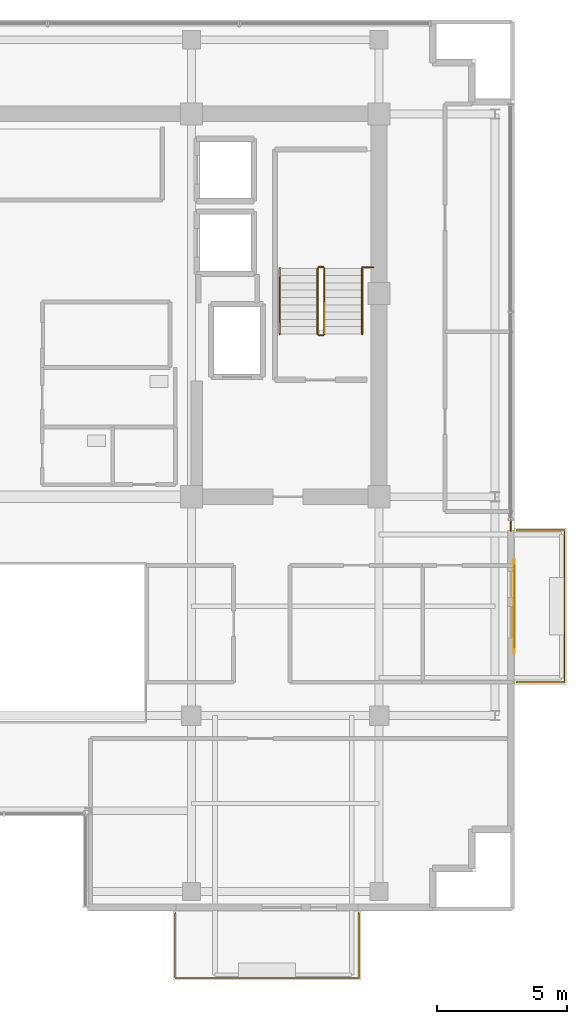
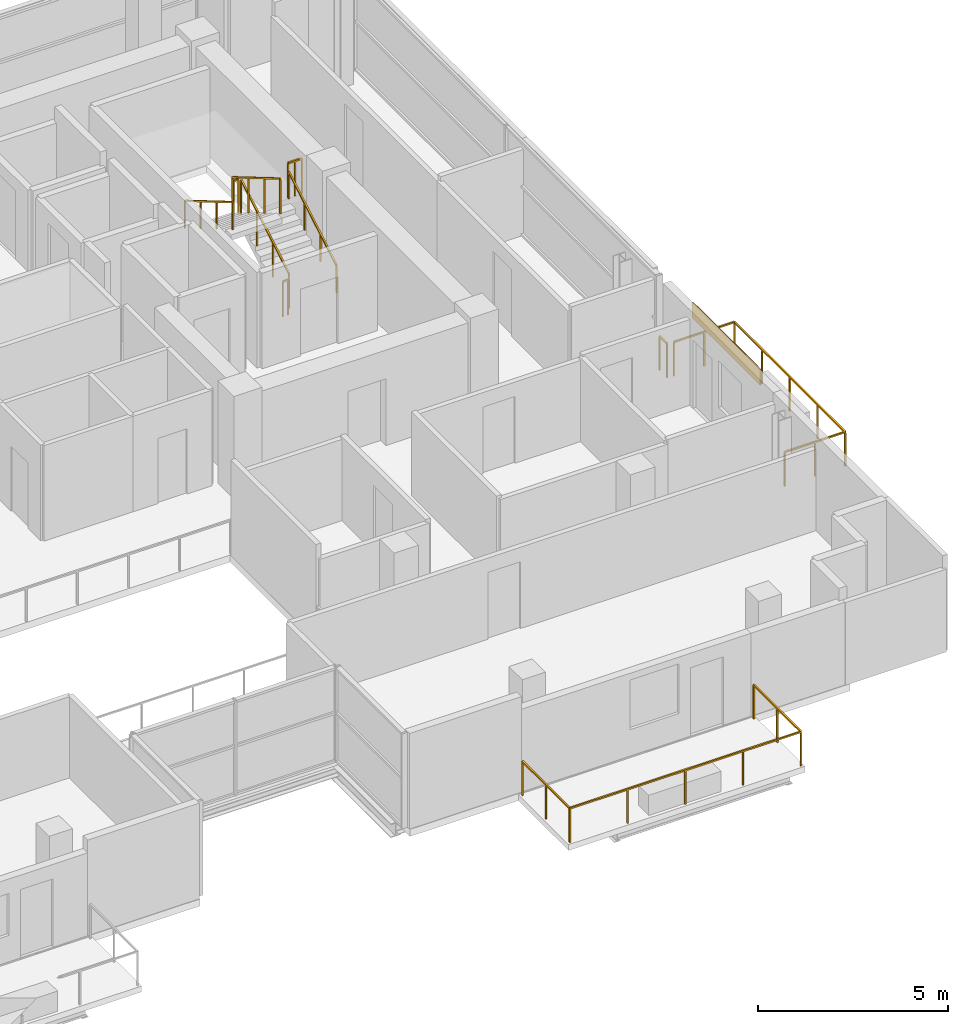
# One storey, part 22 of 23: 10 railings, 1 covering, 1 shading device.
"""IFC4 building model written with IfcOpenShell, lengths in metres."""

import ifcopenshell
import ifcopenshell.guid

model = None  # the IFC model being written
_history = None  # IfcOwnerHistory: only IFC2X3 demands one
_inside = {}  # id of a spatial element -> (the spatial element, [elements in it])
_under = {}  # id of a project, library or spatial element -> (it, [spatial elements below it])
_declared = {}  # id of a project -> (the project, [libraries it declares])
_typed = {}  # id of a type object -> (the type object, [elements of that type])
_made_of = {}  # id of a material, layer set ... -> (it, [elements and type objects made of it])


def new_model(schema):
    """Start an empty IFC model of exactly this schema.

    Asked for "IFC4X3", IfcOpenShell would pick the latest addendum, in which some entities
    have other attributes; the version numbers below select the first issue.
    IFC2X3 requires an IfcOwnerHistory on every rooted entity: one is made here for all.
    """
    global model, _history
    if schema == "IFC4X3":
        model = ifcopenshell.file(schema_version=(4, 3, 0, 0))
    else:
        model = ifcopenshell.file(schema=schema)
    _inside.clear()
    _under.clear()
    _declared.clear()
    _typed.clear()
    _made_of.clear()
    _history = None
    if model.schema == "IFC2X3":
        org = make("IfcOrganization", Name="unknown")
        user = make(
            "IfcPersonAndOrganization",
            ThePerson=make("IfcPerson", FamilyName="unknown"),
            TheOrganization=org,
        )
        app = make(
            "IfcApplication",
            ApplicationDeveloper=org,
            Version="unknown",
            ApplicationFullName="unknown",
            ApplicationIdentifier="unknown",
        )
        _history = make(
            "IfcOwnerHistory",
            OwningUser=user,
            OwningApplication=app,
            ChangeAction="ADDED",
            CreationDate=0,
        )
    return model


def make(cls, **values):
    """One entity of the class cls with the attributes given. An attribute that is None is left unset."""
    return model.create_entity(
        cls, **{name: value for name, value in values.items() if value is not None}
    )


def rooted(cls, **values):
    """An entity with a GlobalId (a new one), such as an element, a storey or a relation."""
    return make(cls, GlobalId=ifcopenshell.guid.new(), OwnerHistory=_history, **values)


def si_unit(unit_type, name, prefix=None):
    """IfcSIUnit, for example si_unit("LENGTHUNIT", "METRE", prefix="MILLI")."""
    return make("IfcSIUnit", UnitType=unit_type, Prefix=prefix, Name=name)


def assignment(units):
    """IfcUnitAssignment: the units of a project."""
    return None if units is None else make("IfcUnitAssignment", Units=units)


def point(xyz):
    """IfcCartesianPoint."""
    return None if xyz is None else make("IfcCartesianPoint", Coordinates=xyz)


def direction(xyz):
    """IfcDirection."""
    return None if xyz is None else make("IfcDirection", DirectionRatios=xyz)


def frame(location, z_axis=None, x_axis=None):
    """IfcAxis2Placement3D, a coordinate frame: its origin and axes. An axis left out is left unset."""
    return make(
        "IfcAxis2Placement3D",
        Location=point(location),
        Axis=direction(z_axis),
        RefDirection=direction(x_axis),
    )


def frame_2d(location, x_axis=None):
    """IfcAxis2Placement2D, a coordinate frame in the plane: its origin and x axis."""
    return make(
        "IfcAxis2Placement2D", Location=point(location), RefDirection=direction(x_axis)
    )


def origin():
    """The frame at (0, 0, 0) with its axes left unset."""
    return frame((0.0, 0.0, 0.0))


def origin_2d():
    """The frame at (0, 0) in the plane with its x axis left unset."""
    return frame_2d((0.0, 0.0))


def place(relative_to, where):
    """IfcLocalPlacement: puts the frame where relative to a parent placement (None: the world)."""
    return make(
        "IfcLocalPlacement", PlacementRelTo=relative_to, RelativePlacement=where
    )


def context(
    kind, dimensions, precision=None, world=None, true_north=None, identifier=None
):
    """IfcGeometricRepresentationContext, for example the 3D "Model" context."""
    return make(
        "IfcGeometricRepresentationContext",
        ContextIdentifier=identifier,
        ContextType=kind,
        CoordinateSpaceDimension=dimensions,
        Precision=precision,
        WorldCoordinateSystem=world,
        TrueNorth=true_north,
    )


def subcontext(parent, identifier, kind, view, scale=None):
    """IfcGeometricRepresentationSubContext, for example "Body" below "Model"."""
    return make(
        "IfcGeometricRepresentationSubContext",
        ContextIdentifier=identifier,
        ContextType=kind,
        ParentContext=parent,
        TargetScale=scale,
        TargetView=view,
    )


def project(units=None, contexts=None):
    """IfcProject with its units and contexts."""
    return rooted(
        "IfcProject",
        Name="project",
        RepresentationContexts=contexts,
        UnitsInContext=assignment(units),
    )


def spatial(cls, under=None, at=None, **own):
    """A site, building, storey or space (cls), placed at a placement, below another one or the project."""
    s = rooted(cls, ObjectPlacement=at, **own)
    if under is not None:
        _under.setdefault(under.id(), (under, []))[1].append(s)
    return s


def profile(cls, at=None, kind="AREA", **sizes):
    """A parametric profile (cls). Its sizes go by their IFC names, for example OverallWidth=200.0."""
    return make(cls, ProfileType=kind, Position=at, **sizes)


def rectangle(**sizes):
    """IfcRectangleProfileDef."""
    return profile("IfcRectangleProfileDef", **sizes)


def extrude(swept, where, along, depth):
    """IfcExtrudedAreaSolid: the profile swept, set in the frame where, extruded along a direction by depth."""
    return make(
        "IfcExtrudedAreaSolid",
        SweptArea=swept,
        Position=where,
        ExtrudedDirection=direction(along),
        Depth=depth,
    )


def shape(context_of_items, identifier, shape_type, items):
    """IfcShapeRepresentation: the items that make up one representation, for example the "Body"."""
    return make(
        "IfcShapeRepresentation",
        ContextOfItems=context_of_items,
        RepresentationIdentifier=identifier,
        RepresentationType=shape_type,
        Items=items,
    )


def source(mapping_origin, context_of_items, identifier, shape_type, items):
    """IfcRepresentationMap: a shape defined once, which mapped items show again and again."""
    return make(
        "IfcRepresentationMap",
        MappingOrigin=mapping_origin,
        MappedRepresentation=shape(context_of_items, identifier, shape_type, items),
    )


def transform(
    local_origin,
    x_axis=None,
    y_axis=None,
    z_axis=None,
    scale=None,
    scale2=None,
    scale3=None,
    uniform=True,
):
    """IfcCartesianTransformationOperator3D, or its non-uniform kind. x_axis, y_axis, z_axis: its Axis1, 2, 3."""
    if uniform:
        return make(
            "IfcCartesianTransformationOperator3D",
            Axis1=direction(x_axis),
            Axis2=direction(y_axis),
            LocalOrigin=point(local_origin),
            Scale=scale,
            Axis3=direction(z_axis),
        )
    return make(
        "IfcCartesianTransformationOperator3DnonUniform",
        Axis1=direction(x_axis),
        Axis2=direction(y_axis),
        LocalOrigin=point(local_origin),
        Scale=scale,
        Axis3=direction(z_axis),
        Scale2=scale2,
        Scale3=scale3,
    )


def mapped(mapping_source, mapping_target):
    """IfcMappedItem: shows the shape of a source again, moved by a transform."""
    return make(
        "IfcMappedItem", MappingSource=mapping_source, MappingTarget=mapping_target
    )


def material(Name=None, Category=None):
    """IfcMaterial."""
    return make("IfcMaterial", Name=Name, Category=Category)


def layer(
    of_material, thickness, ventilated=None, Name=None, Category=None, Priority=None
):
    """IfcMaterialLayer: one layer of a wall or slab, of a material (None: an air gap)."""
    return make(
        "IfcMaterialLayer",
        Material=of_material,
        LayerThickness=thickness,
        IsVentilated=ventilated,
        Name=Name,
        Category=Category,
        Priority=Priority,
    )


def layer_set(layers, Name=None):
    """IfcMaterialLayerSet."""
    return make("IfcMaterialLayerSet", MaterialLayers=layers, LayerSetName=Name)


def made_of(thing, what):
    """Note that an element or type object is made of a material, layer set ...; save() writes the relation."""
    if what is not None:
        _made_of.setdefault(what.id(), (what, []))[1].append(thing)
    return thing


def type_object(cls, material=None, **own):
    """A type object (cls), such as IfcWallType, which elements share."""
    return made_of(rooted(cls, **own), material)


def element(
    cls,
    number,
    at=None,
    inside=None,
    cuts=None,
    type_object=None,
    material=None,
    context=None,
    identifier="Body",
    shape_type=None,
    held_by="IfcProductDefinitionShape",
    body=None,
    shapes=None,
    **own,
):
    """One element of the class cls, such as IfcWall. Its Tag is "e" and its number.

    at: its placement. inside: the storey or other place that contains it. cuts: it is an
    opening in that element (IfcRelVoidsElement). A single representation is given by context,
    identifier, shape_type and body (its items); several are given by shapes. held_by: the class
    of the entity that holds the representations. save() writes the other relations.
    """
    e = rooted(cls, Tag="e%d" % number, ObjectPlacement=at, **own)
    if body is not None:
        shapes = [shape(context, identifier, shape_type, body)]
    if shapes is not None:
        e.Representation = make(held_by, Representations=shapes)
    if inside is not None:
        _inside.setdefault(inside.id(), (inside, []))[1].append(e)
    if cuts is not None:
        rooted(
            "IfcRelVoidsElement", RelatingBuildingElement=cuts, RelatedOpeningElement=e
        )
    if type_object is not None:
        _typed.setdefault(type_object.id(), (type_object, []))[1].append(e)
    return made_of(e, material)


def aggregate(whole, parts):
    """IfcRelAggregates: a whole, such as a stair, and the parts it consists of."""
    return rooted("IfcRelAggregates", RelatingObject=whole, RelatedObjects=parts)


def save(model, path):
    """Write the relations noted so far, then the file.

    IfcRelAggregates (storeys below a building ...), IfcRelContainedInSpatialStructure (elements
    in a storey), IfcRelDefinesByType, IfcRelAssociatesMaterial and IfcRelDeclares: one each for
    every whole, place, type object, material and project.
    """
    for whole, parts in _under.values():
        aggregate(whole, parts)
    for where, things in _inside.values():
        rooted(
            "IfcRelContainedInSpatialStructure",
            RelatedElements=things,
            RelatingStructure=where,
        )
    for kind, things in _typed.values():
        rooted("IfcRelDefinesByType", RelatedObjects=things, RelatingType=kind)
    for what, things in _made_of.values():
        rooted("IfcRelAssociatesMaterial", RelatedObjects=things, RelatingMaterial=what)
    for by, libraries in _declared.values():
        rooted("IfcRelDeclares", RelatingContext=by, RelatedDefinitions=libraries)
    model.write(path)


model = new_model("IFC4")

# Units and contexts
model_context = context("Model", 3, precision=1e-05, world=origin(), true_north=direction((0.0, 1.0)))
body_context = subcontext(model_context, "Body", "Model", "MODEL_VIEW")
ifc_project = project(units=[si_unit("LENGTHUNIT", "METRE"), si_unit("AREAUNIT", "SQUARE_METRE"), si_unit("VOLUMEUNIT", "CUBIC_METRE"), si_unit("PLANEANGLEUNIT", "RADIAN"), si_unit("MASSUNIT", "GRAM", prefix="KILO")], contexts=[model_context])

# Site, building, storey
site_placement = place(None, origin())
site = spatial("IfcSite", under=ifc_project, at=site_placement, CompositionType="ELEMENT")
building_placement = place(site_placement, origin())
building = spatial("IfcBuilding", under=site, at=building_placement, Name="Zarnakvel Exchange Tower", CompositionType="ELEMENT")
storey_placement = place(building_placement, frame((0.0, 0.0, 218.800048828125)))
storey = spatial("IfcBuildingStorey", under=building, at=storey_placement, Name="L61", CompositionType="ELEMENT", Elevation=218.800048828125)

# Railings
ifc_material_1 = material(Name="Architectural Bronze Anodised Aluminium", Category="aluminium")
railing_type_1 = type_object("IfcRailingType", Name="GR-02", PredefinedType="GUARDRAIL", material=ifc_material_1)
railing_1_placement = place(storey_placement, frame((6.580078125, -17.179931640625, -0.03515625)))
element("IfcRailing", 1, at=railing_1_placement, inside=storey, type_object=railing_type_1, Name="L61 Balcony Guardrail BAL-L61-SE", PredefinedType="GUARDRAIL", context=body_context, shape_type="SweptSolid", body=[
    extrude(rectangle(XDim=0.048095703125, YDim=0.048095703125, at=origin_2d()), frame((0.0, 0.0, 1.09619140625), z_axis=(0.0, -1.0, 0.0), x_axis=(1.0, 0.0, 0.0)), (0.0, 0.0, 1.0), 2.489990234375),
    extrude(rectangle(XDim=0.048095703125, YDim=0.048095703125, at=origin_2d()), frame((0.0, -2.489990234375, 1.09619140625), z_axis=(1.0, 0.0, 0.0), x_axis=(0.0, 1.0, 0.0)), (0.0, 0.0, 1.0), 7.0400390625),
    extrude(rectangle(XDim=0.048095703125, YDim=0.048095703125, at=origin_2d()), frame((7.0400390625, -2.489990234375, 1.09619140625), z_axis=(0.0, 1.0, 0.0), x_axis=(-1.0, 0.0, 0.0)), (0.0, 0.0, 1.0), 2.489990234375),
    extrude(rectangle(XDim=0.0419921875, YDim=0.0419921875, at=origin_2d()), origin(), (0.0, 0.0, 1.0), 1.072021484375),
    extrude(rectangle(XDim=0.0419921875, YDim=0.0419921875, at=origin_2d()), frame((0.0, -1.2451171875, 0.0)), (0.0, 0.0, 1.0), 1.072021484375),
    extrude(rectangle(XDim=0.0419921875, YDim=0.0419921875, at=origin_2d()), frame((0.0, -2.489990234375, 0.0)), (0.0, 0.0, 1.0), 1.072021484375),
    extrude(rectangle(XDim=0.0419921875, YDim=0.0419921875, at=origin_2d()), frame((1.760009765625, -2.489990234375, 0.0)), (0.0, 0.0, 1.0), 1.072021484375),
    extrude(rectangle(XDim=0.0419921875, YDim=0.0419921875, at=origin_2d()), frame((3.52001953125, -2.489990234375, 0.0)), (0.0, 0.0, 1.0), 1.072021484375),
    extrude(rectangle(XDim=0.0419921875, YDim=0.0419921875, at=origin_2d()), frame((5.280029296875, -2.489990234375, 0.0)), (0.0, 0.0, 1.0), 1.072021484375),
    extrude(rectangle(XDim=0.0419921875, YDim=0.0419921875, at=origin_2d()), frame((7.0400390625, -2.489990234375, 0.0)), (0.0, 0.0, 1.0), 1.072021484375),
    extrude(rectangle(XDim=0.0419921875, YDim=0.0419921875, at=origin_2d()), frame((7.0400390625, -1.2451171875, 0.0)), (0.0, 0.0, 1.0), 1.072021484375),
    extrude(rectangle(XDim=0.0419921875, YDim=0.0419921875, at=origin_2d()), frame((7.0400390625, 0.0, 0.0)), (0.0, 0.0, 1.0), 1.072021484375),
])
railing_2_placement = place(storey_placement, frame((19.679931640625, -8.320068359375, -0.03515625)))
element("IfcRailing", 2, at=railing_2_placement, inside=storey, type_object=railing_type_1, Name="L61 Balcony Guardrail BAL-L61-E", PredefinedType="GUARDRAIL", context=body_context, shape_type="SweptSolid", body=[
    extrude(rectangle(XDim=0.048095703125, YDim=0.048095703125, at=origin_2d()), frame((0.0, 0.0, 1.09619140625), z_axis=(1.0, 0.0, 0.0), x_axis=(0.0, 1.0, 0.0)), (0.0, 0.0, 1.0), 1.840087890625),
    extrude(rectangle(XDim=0.048095703125, YDim=0.048095703125, at=origin_2d()), frame((1.840087890625, 0.0, 1.09619140625), z_axis=(0.0, 1.0, 0.0), x_axis=(-1.0, 0.0, 0.0)), (0.0, 0.0, 1.0), 5.840087890625),
    extrude(rectangle(XDim=0.048095703125, YDim=0.048095703125, at=origin_2d()), frame((1.840087890625, 5.840087890625, 1.09619140625), z_axis=(-1.0, 0.0, 0.0), x_axis=(0.0, -1.0, 0.0)), (0.0, 0.0, 1.0), 1.840087890625),
    extrude(rectangle(XDim=0.0419921875, YDim=0.0419921875, at=origin_2d()), origin(), (0.0, 0.0, 1.0), 1.072021484375),
    extrude(rectangle(XDim=0.0419921875, YDim=0.0419921875, at=origin_2d()), frame((0.919921875, 0.0, 0.0)), (0.0, 0.0, 1.0), 1.072021484375),
    extrude(rectangle(XDim=0.0419921875, YDim=0.0419921875, at=origin_2d()), frame((1.840087890625, 0.0, 0.0)), (0.0, 0.0, 1.0), 1.072021484375),
    extrude(rectangle(XDim=0.0419921875, YDim=0.0419921875, at=origin_2d()), frame((1.840087890625, 1.4599609375, 0.0)), (0.0, 0.0, 1.0), 1.072021484375),
    extrude(rectangle(XDim=0.0419921875, YDim=0.0419921875, at=origin_2d()), frame((1.840087890625, 2.919921875, 0.0)), (0.0, 0.0, 1.0), 1.072021484375),
    extrude(rectangle(XDim=0.0419921875, YDim=0.0419921875, at=origin_2d()), frame((1.840087890625, 4.380126953125, 0.0)), (0.0, 0.0, 1.0), 1.072021484375),
    extrude(rectangle(XDim=0.0419921875, YDim=0.0419921875, at=origin_2d()), frame((1.840087890625, 5.840087890625, 0.0)), (0.0, 0.0, 1.0), 1.072021484375),
    extrude(rectangle(XDim=0.0419921875, YDim=0.0419921875, at=origin_2d()), frame((0.919921875, 5.840087890625, 0.0)), (0.0, 0.0, 1.0), 1.072021484375),
    extrude(rectangle(XDim=0.0419921875, YDim=0.0419921875, at=origin_2d()), frame((0.0, 5.840087890625, 0.0)), (0.0, 0.0, 1.0), 1.072021484375),
])
railing_3_placement = place(storey_placement, frame((19.4599609375, -2.10009765625, 0.0)))
element("IfcRailing", 3, at=railing_3_placement, inside=storey, type_object=railing_type_1, Name="L61 Corner Spandrel Balustrade #9", PredefinedType="GUARDRAIL", context=body_context, shape_type="SweptSolid", body=[
    extrude(rectangle(XDim=0.048095703125, YDim=0.048095703125, at=origin_2d()), frame((0.0, 0.0, 1.09619140625), z_axis=(0.0, -1.0, 0.0), x_axis=(1.0, 0.0, 0.0)), (0.0, 0.0, 1.0), 0.39990234375),
    extrude(rectangle(XDim=0.0419921875, YDim=0.0419921875, at=origin_2d()), origin(), (0.0, 0.0, 1.0), 1.072021484375),
    extrude(rectangle(XDim=0.0419921875, YDim=0.0419921875, at=origin_2d()), frame((0.0, -0.39990234375, 0.0)), (0.0, 0.0, 1.0), 1.072021484375),
])
ifc_material_2 = material(Name="Brushed Stainless Steel", Category="steel")
railing_type_2 = type_object("IfcRailingType", Name="HR-01", PredefinedType="HANDRAIL", material=ifc_material_2)
railing_4_placement = place(storey_placement, frame((13.75, 5.050048828125, 0.1650390625)))
element("IfcRailing", 4, at=railing_4_placement, inside=storey, type_object=railing_type_2, Name="L61 ST-02 stair handrail 1", PredefinedType="HANDRAIL", context=body_context, shape_type="SweptSolid", body=[
    extrude(rectangle(XDim=0.048095703125, YDim=0.048095703125, at=origin_2d()), frame((0.0, 0.0, 0.8759765625), z_axis=(0.0, 0.861560626758, 0.507654692109), x_axis=(-1.0, 0.0, 0.0)), (0.0, 0.0, 1.0), 2.925048828125),
    extrude(rectangle(XDim=0.0419921875, YDim=0.0419921875, at=origin_2d()), origin(), (0.0, 0.0, 1.0), 0.851806640625),
    extrude(rectangle(XDim=0.0419921875, YDim=0.0419921875, at=origin_2d()), frame((0.0, 0.840087890625, 0.494873046875)), (0.0, 0.0, 1.0), 0.851806640625),
    extrude(rectangle(XDim=0.0419921875, YDim=0.0419921875, at=origin_2d()), frame((0.0, 1.679931640625, 0.989990234375)), (0.0, 0.0, 1.0), 0.851806640625),
    extrude(rectangle(XDim=0.0419921875, YDim=0.0419921875, at=origin_2d()), frame((0.0, 2.52001953125, 1.48486328125)), (0.0, 0.0, 1.0), 0.851806640625),
])
railing_5_placement = place(storey_placement, frame((10.590087890625, 7.570068359375, 1.81494140625)))
element("IfcRailing", 5, at=railing_5_placement, inside=storey, type_object=railing_type_2, Name="L61 ST-02 stair handrail 2", PredefinedType="HANDRAIL", context=body_context, shape_type="SweptSolid", body=[
    extrude(rectangle(XDim=0.048095703125, YDim=0.048095703125, at=origin_2d()), frame((0.0, 0.0, 0.8759765625), z_axis=(0.0, -0.86152411907, 0.507716645641), x_axis=(1.0, 0.0, 0.0)), (0.0, 0.0, 1.0), 2.925048828125),
    extrude(rectangle(XDim=0.0419921875, YDim=0.0419921875, at=origin_2d()), origin(), (0.0, 0.0, 1.0), 0.851806640625),
    extrude(rectangle(XDim=0.0419921875, YDim=0.0419921875, at=origin_2d()), frame((0.0, -0.840087890625, 0.4951171875)), (0.0, 0.0, 1.0), 0.851806640625),
    extrude(rectangle(XDim=0.0419921875, YDim=0.0419921875, at=origin_2d()), frame((0.0, -1.679931640625, 0.989990234375)), (0.0, 0.0, 1.0), 0.851806640625),
    extrude(rectangle(XDim=0.0419921875, YDim=0.0419921875, at=origin_2d()), frame((0.0, -2.52001953125, 1.485107421875)), (0.0, 0.0, 1.0), 0.851806640625),
])
railing_type_3 = type_object("IfcRailingType", Name="SG-01", PredefinedType="GUARDRAIL", material=ifc_material_1)
railing_6_placement = place(storey_placement, frame((12.300048828125, 5.050048828125, 0.1650390625)))
element("IfcRailing", 6, at=railing_6_placement, inside=storey, type_object=railing_type_3, Name="L61 ST-02 stair guard 1", PredefinedType="GUARDRAIL", context=body_context, shape_type="SweptSolid", body=[
    extrude(rectangle(XDim=0.048095703125, YDim=0.048095703125, at=origin_2d()), frame((0.0, 0.0, 1.1259765625), z_axis=(0.0, 0.861560626758, 0.507654692109), x_axis=(-1.0, 0.0, 0.0)), (0.0, 0.0, 1.0), 2.925048828125),
    extrude(rectangle(XDim=0.0419921875, YDim=0.0419921875, at=origin_2d()), origin(), (0.0, 0.0, 1.0), 1.101806640625),
    extrude(rectangle(XDim=0.0419921875, YDim=0.0419921875, at=origin_2d()), frame((0.0, 0.840087890625, 0.494873046875)), (0.0, 0.0, 1.0), 1.101806640625),
    extrude(rectangle(XDim=0.0419921875, YDim=0.0419921875, at=origin_2d()), frame((0.0, 1.679931640625, 0.989990234375)), (0.0, 0.0, 1.0), 1.101806640625),
    extrude(rectangle(XDim=0.0419921875, YDim=0.0419921875, at=origin_2d()), frame((0.0, 2.52001953125, 1.48486328125)), (0.0, 0.0, 1.0), 1.101806640625),
])
railing_7_placement = place(storey_placement, frame((12.25, 7.6201171875, 1.64990234375)))
element("IfcRailing", 7, at=railing_7_placement, inside=storey, type_object=railing_type_3, Name="L61 ST-02 stair guard 2", PredefinedType="GUARDRAIL", context=body_context, shape_type="SweptSolid", body=[
    extrude(rectangle(XDim=0.048095703125, YDim=0.048095703125, at=origin_2d()), frame((0.0, 0.0, 1.1259765625), z_axis=(-1.0, 0.0, 0.0), x_axis=(0.0, -1.0, 0.0)), (0.0, 0.0, 1.0), 0.159912109375),
    extrude(rectangle(XDim=0.0419921875, YDim=0.0419921875, at=origin_2d()), origin(), (0.0, 0.0, 1.0), 1.101806640625),
    extrude(rectangle(XDim=0.0419921875, YDim=0.0419921875, at=origin_2d()), frame((-0.159912109375, 0.0, 0.0)), (0.0, 0.0, 1.0), 1.101806640625),
])
railing_8_placement = place(storey_placement, frame((12.0400390625, 7.570068359375, 1.81494140625)))
element("IfcRailing", 8, at=railing_8_placement, inside=storey, type_object=railing_type_3, Name="L61 ST-02 stair guard 3", PredefinedType="GUARDRAIL", context=body_context, shape_type="SweptSolid", body=[
    extrude(rectangle(XDim=0.048095703125, YDim=0.048095703125, at=origin_2d()), frame((0.0, 0.0, 1.1259765625), z_axis=(0.0, -0.86152411907, 0.507716645641), x_axis=(1.0, 0.0, 0.0)), (0.0, 0.0, 1.0), 2.925048828125),
    extrude(rectangle(XDim=0.0419921875, YDim=0.0419921875, at=origin_2d()), origin(), (0.0, 0.0, 1.0), 1.101806640625),
    extrude(rectangle(XDim=0.0419921875, YDim=0.0419921875, at=origin_2d()), frame((0.0, -0.840087890625, 0.4951171875)), (0.0, 0.0, 1.0), 1.101806640625),
    extrude(rectangle(XDim=0.0419921875, YDim=0.0419921875, at=origin_2d()), frame((0.0, -1.679931640625, 0.989990234375)), (0.0, 0.0, 1.0), 1.101806640625),
    extrude(rectangle(XDim=0.0419921875, YDim=0.0419921875, at=origin_2d()), frame((0.0, -2.52001953125, 1.485107421875)), (0.0, 0.0, 1.0), 1.101806640625),
])
railing_9_placement = place(storey_placement, frame((12.25, 5.0, 0.0)))
element("IfcRailing", 9, at=railing_9_placement, inside=storey, type_object=railing_type_3, Name="L61 ST-02 stair guard 4", PredefinedType="GUARDRAIL", context=body_context, shape_type="SweptSolid", body=[
    extrude(rectangle(XDim=0.048095703125, YDim=0.048095703125, at=origin_2d()), frame((0.0, 0.0, 1.1259765625), z_axis=(-1.0, 0.0, 0.0), x_axis=(0.0, -1.0, 0.0)), (0.0, 0.0, 1.0), 0.159912109375),
    extrude(rectangle(XDim=0.0419921875, YDim=0.0419921875, at=origin_2d()), origin(), (0.0, 0.0, 1.0), 1.101806640625),
    extrude(rectangle(XDim=0.0419921875, YDim=0.0419921875, at=origin_2d()), frame((-0.159912109375, 0.0, 0.0)), (0.0, 0.0, 1.0), 1.101806640625),
])
railing_10_placement = place(storey_placement, frame((13.75, 7.610107421875, 1.64990234375)))
element("IfcRailing", 10, at=railing_10_placement, inside=storey, type_object=railing_type_3, Name="L61 ST-02 Landing Slot Guardrail", PredefinedType="GUARDRAIL", context=body_context, shape_type="SweptSolid", body=[
    extrude(rectangle(XDim=0.048095703125, YDim=0.048095703125, at=origin_2d()), frame((0.0, 0.0, 1.1259765625), z_axis=(1.0, 0.0, 0.0), x_axis=(0.0, 1.0, 0.0)), (0.0, 0.0, 1.0), 0.429931640625),
    extrude(rectangle(XDim=0.0419921875, YDim=0.0419921875, at=origin_2d()), origin(), (0.0, 0.0, 1.0), 1.101806640625),
    extrude(rectangle(XDim=0.0419921875, YDim=0.0419921875, at=origin_2d()), frame((0.21484375, 0.0, 0.0)), (0.0, 0.0, 1.0), 1.101806640625),
    extrude(rectangle(XDim=0.0419921875, YDim=0.0419921875, at=origin_2d()), frame((0.429931640625, 0.0, 0.0)), (0.0, 0.0, 1.0), 1.101806640625),
])

# Covering
ifc_material_3 = material(Name="Warm Sandstone Terracotta Spandrel Tile", Category="masonry")
ifc_layer_1 = layer(ifc_material_3, 0.031982421875)
ifc_layer_set_1 = layer_set([ifc_layer_1], Name="Warm Sandstone Terracotta Spandrel Tile")
covering_type = type_object("IfcCoveringType", Name="CL-02", PredefinedType="CLADDING", material=ifc_layer_set_1)
shared_shape_1 = source(origin(), body_context, "Body", "SweptSolid", [
    extrude(rectangle(XDim=3.60009765625, YDim=0.031982421875, at=origin_2d()), origin(), (0.0, 0.0, 1.0), 0.4951171875),
])
covering_placement = place(storey_placement, frame((19.593994140625, -5.39990234375, 2.559814453125), z_axis=(0.0, 0.0, 1.0), x_axis=(0.0, -1.0, 0.0)))
element("IfcCovering", 11, at=covering_placement, inside=storey, type_object=covering_type, Name="L61 Ceramic Spandrel Tilework CL-02", PredefinedType="CLADDING", context=body_context, shape_type="MappedRepresentation", body=[
    mapped(shared_shape_1, transform((0.0, 0.0, 0.0), x_axis=(1.0, 0.0, 0.0), y_axis=(0.0, 1.0, 0.0), z_axis=(0.0, 0.0, 1.0), scale=1.0)),
])

# Shading device
ifc_material_4 = material(Name="Perforated Architectural Bronze Screen", Category="aluminium")
ifc_layer_2 = layer(ifc_material_4, 0.044921875)
ifc_layer_set_2 = layer_set([ifc_layer_2], Name="Perforated Architectural Bronze Screen")
shading_device_type = type_object("IfcShadingDeviceType", Name="SS-01", PredefinedType="JALOUSIE", material=ifc_layer_set_2)
shared_shape_2 = source(origin(), body_context, "Body", "SweptSolid", [
    extrude(rectangle(XDim=3.199951171875, YDim=0.044921875, at=origin_2d()), origin(), (0.0, 0.0, 1.0), 0.4951171875),
])
shading_device_placement = place(storey_placement, frame((19.6005859375, -5.39990234375, 2.559814453125), z_axis=(0.0, 0.0, 1.0), x_axis=(0.0, -1.0, 0.0)))
element("IfcShadingDevice", 12, at=shading_device_placement, inside=storey, type_object=shading_device_type, Name="L61 Bronze Solar Shading Screen SS-01", PredefinedType="JALOUSIE", context=body_context, shape_type="MappedRepresentation", body=[
    mapped(shared_shape_2, transform((0.0, 0.0, 0.0), x_axis=(1.0, 0.0, 0.0), y_axis=(0.0, 1.0, 0.0), z_axis=(0.0, 0.0, 1.0), scale=1.0)),
])

save(model, "model.ifc")
